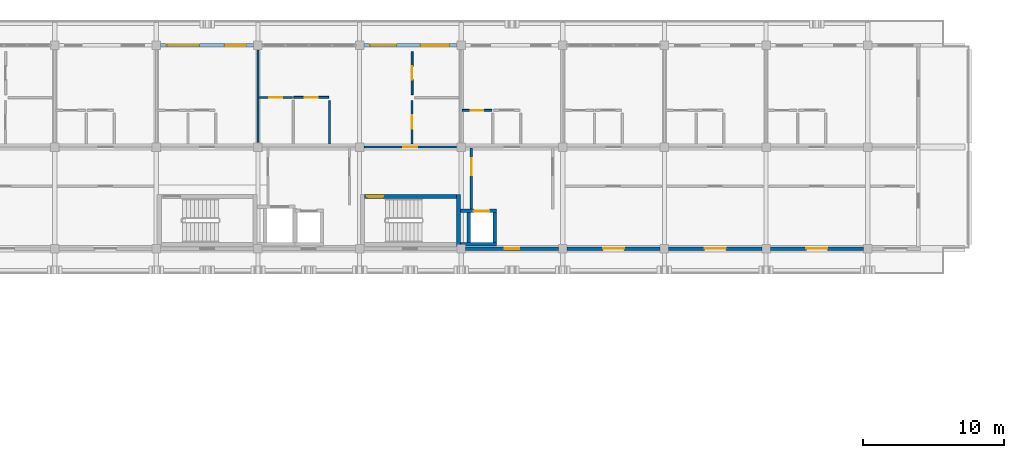
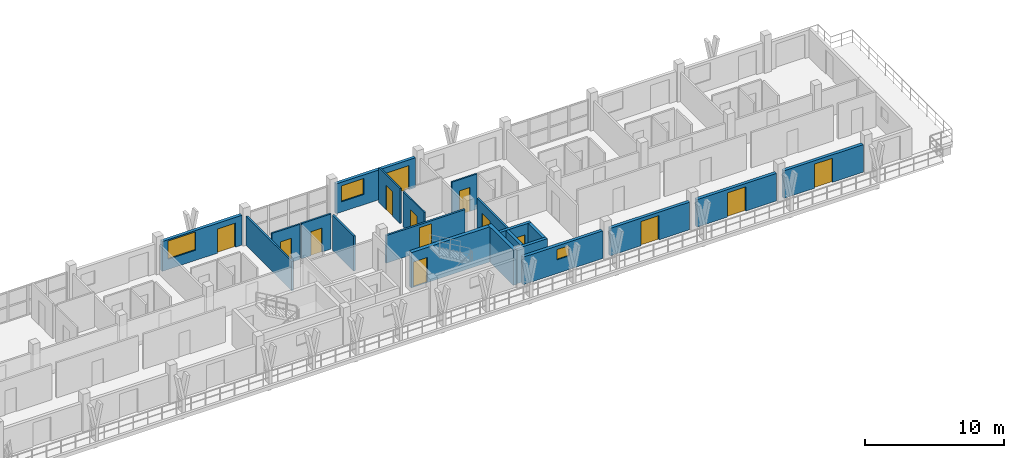
# One storey, part 37 of 60: 21 walls, 14 doors, 3 windows, 17 openings.
"""IFC4 building model written with IfcOpenShell, lengths in metres."""

import ifcopenshell
import ifcopenshell.guid

model = None  # the IFC model being written
_history = None  # IfcOwnerHistory: only IFC2X3 demands one
_inside = {}  # id of a spatial element -> (the spatial element, [elements in it])
_under = {}  # id of a project, library or spatial element -> (it, [spatial elements below it])
_declared = {}  # id of a project -> (the project, [libraries it declares])
_typed = {}  # id of a type object -> (the type object, [elements of that type])
_made_of = {}  # id of a material, layer set ... -> (it, [elements and type objects made of it])


def new_model(schema):
    """Start an empty IFC model of exactly this schema.

    Asked for "IFC4X3", IfcOpenShell would pick the latest addendum, in which some entities
    have other attributes; the version numbers below select the first issue.
    IFC2X3 requires an IfcOwnerHistory on every rooted entity: one is made here for all.
    """
    global model, _history
    if schema == "IFC4X3":
        model = ifcopenshell.file(schema_version=(4, 3, 0, 0))
    else:
        model = ifcopenshell.file(schema=schema)
    _inside.clear()
    _under.clear()
    _declared.clear()
    _typed.clear()
    _made_of.clear()
    _history = None
    if model.schema == "IFC2X3":
        org = make("IfcOrganization", Name="unknown")
        user = make(
            "IfcPersonAndOrganization",
            ThePerson=make("IfcPerson", FamilyName="unknown"),
            TheOrganization=org,
        )
        app = make(
            "IfcApplication",
            ApplicationDeveloper=org,
            Version="unknown",
            ApplicationFullName="unknown",
            ApplicationIdentifier="unknown",
        )
        _history = make(
            "IfcOwnerHistory",
            OwningUser=user,
            OwningApplication=app,
            ChangeAction="ADDED",
            CreationDate=0,
        )
    return model


def make(cls, **values):
    """One entity of the class cls with the attributes given. An attribute that is None is left unset."""
    return model.create_entity(
        cls, **{name: value for name, value in values.items() if value is not None}
    )


def rooted(cls, **values):
    """An entity with a GlobalId (a new one), such as an element, a storey or a relation."""
    return make(cls, GlobalId=ifcopenshell.guid.new(), OwnerHistory=_history, **values)


def si_unit(unit_type, name, prefix=None):
    """IfcSIUnit, for example si_unit("LENGTHUNIT", "METRE", prefix="MILLI")."""
    return make("IfcSIUnit", UnitType=unit_type, Prefix=prefix, Name=name)


def assignment(units):
    """IfcUnitAssignment: the units of a project."""
    return None if units is None else make("IfcUnitAssignment", Units=units)


def point(xyz):
    """IfcCartesianPoint."""
    return None if xyz is None else make("IfcCartesianPoint", Coordinates=xyz)


def direction(xyz):
    """IfcDirection."""
    return None if xyz is None else make("IfcDirection", DirectionRatios=xyz)


def frame(location, z_axis=None, x_axis=None):
    """IfcAxis2Placement3D, a coordinate frame: its origin and axes. An axis left out is left unset."""
    return make(
        "IfcAxis2Placement3D",
        Location=point(location),
        Axis=direction(z_axis),
        RefDirection=direction(x_axis),
    )


def frame_2d(location, x_axis=None):
    """IfcAxis2Placement2D, a coordinate frame in the plane: its origin and x axis."""
    return make(
        "IfcAxis2Placement2D", Location=point(location), RefDirection=direction(x_axis)
    )


def origin():
    """The frame at (0, 0, 0) with its axes left unset."""
    return frame((0.0, 0.0, 0.0))


def place(relative_to, where):
    """IfcLocalPlacement: puts the frame where relative to a parent placement (None: the world)."""
    return make(
        "IfcLocalPlacement", PlacementRelTo=relative_to, RelativePlacement=where
    )


def context(
    kind, dimensions, precision=None, world=None, true_north=None, identifier=None
):
    """IfcGeometricRepresentationContext, for example the 3D "Model" context."""
    return make(
        "IfcGeometricRepresentationContext",
        ContextIdentifier=identifier,
        ContextType=kind,
        CoordinateSpaceDimension=dimensions,
        Precision=precision,
        WorldCoordinateSystem=world,
        TrueNorth=true_north,
    )


def subcontext(parent, identifier, kind, view, scale=None):
    """IfcGeometricRepresentationSubContext, for example "Body" below "Model"."""
    return make(
        "IfcGeometricRepresentationSubContext",
        ContextIdentifier=identifier,
        ContextType=kind,
        ParentContext=parent,
        TargetScale=scale,
        TargetView=view,
    )


def project(units=None, contexts=None):
    """IfcProject with its units and contexts."""
    return rooted(
        "IfcProject",
        Name="project",
        RepresentationContexts=contexts,
        UnitsInContext=assignment(units),
    )


def spatial(cls, under=None, at=None, **own):
    """A site, building, storey or space (cls), placed at a placement, below another one or the project."""
    s = rooted(cls, ObjectPlacement=at, **own)
    if under is not None:
        _under.setdefault(under.id(), (under, []))[1].append(s)
    return s


def profile(cls, at=None, kind="AREA", **sizes):
    """A parametric profile (cls). Its sizes go by their IFC names, for example OverallWidth=200.0."""
    return make(cls, ProfileType=kind, Position=at, **sizes)


def rectangle(**sizes):
    """IfcRectangleProfileDef."""
    return profile("IfcRectangleProfileDef", **sizes)


def extrude(swept, where, along, depth):
    """IfcExtrudedAreaSolid: the profile swept, set in the frame where, extruded along a direction by depth."""
    return make(
        "IfcExtrudedAreaSolid",
        SweptArea=swept,
        Position=where,
        ExtrudedDirection=direction(along),
        Depth=depth,
    )


def shape(context_of_items, identifier, shape_type, items):
    """IfcShapeRepresentation: the items that make up one representation, for example the "Body"."""
    return make(
        "IfcShapeRepresentation",
        ContextOfItems=context_of_items,
        RepresentationIdentifier=identifier,
        RepresentationType=shape_type,
        Items=items,
    )


def material(Name=None, Category=None):
    """IfcMaterial."""
    return make("IfcMaterial", Name=Name, Category=Category)


def layer(
    of_material, thickness, ventilated=None, Name=None, Category=None, Priority=None
):
    """IfcMaterialLayer: one layer of a wall or slab, of a material (None: an air gap)."""
    return make(
        "IfcMaterialLayer",
        Material=of_material,
        LayerThickness=thickness,
        IsVentilated=ventilated,
        Name=Name,
        Category=Category,
        Priority=Priority,
    )


def layer_set(layers, Name=None):
    """IfcMaterialLayerSet."""
    return make("IfcMaterialLayerSet", MaterialLayers=layers, LayerSetName=Name)


def made_of(thing, what):
    """Note that an element or type object is made of a material, layer set ...; save() writes the relation."""
    if what is not None:
        _made_of.setdefault(what.id(), (what, []))[1].append(thing)
    return thing


def type_object(cls, material=None, **own):
    """A type object (cls), such as IfcWallType, which elements share."""
    return made_of(rooted(cls, **own), material)


def element(
    cls,
    number,
    at=None,
    inside=None,
    cuts=None,
    type_object=None,
    material=None,
    context=None,
    identifier="Body",
    shape_type=None,
    held_by="IfcProductDefinitionShape",
    body=None,
    shapes=None,
    **own,
):
    """One element of the class cls, such as IfcWall. Its Tag is "e" and its number.

    at: its placement. inside: the storey or other place that contains it. cuts: it is an
    opening in that element (IfcRelVoidsElement). A single representation is given by context,
    identifier, shape_type and body (its items); several are given by shapes. held_by: the class
    of the entity that holds the representations. save() writes the other relations.
    """
    e = rooted(cls, Tag="e%d" % number, ObjectPlacement=at, **own)
    if body is not None:
        shapes = [shape(context, identifier, shape_type, body)]
    if shapes is not None:
        e.Representation = make(held_by, Representations=shapes)
    if inside is not None:
        _inside.setdefault(inside.id(), (inside, []))[1].append(e)
    if cuts is not None:
        rooted(
            "IfcRelVoidsElement", RelatingBuildingElement=cuts, RelatedOpeningElement=e
        )
    if type_object is not None:
        _typed.setdefault(type_object.id(), (type_object, []))[1].append(e)
    return made_of(e, material)


def fill(opening, filler):
    """IfcRelFillsElement: the door or window that sits in an opening."""
    return rooted(
        "IfcRelFillsElement",
        RelatingOpeningElement=opening,
        RelatedBuildingElement=filler,
    )


def aggregate(whole, parts):
    """IfcRelAggregates: a whole, such as a stair, and the parts it consists of."""
    return rooted("IfcRelAggregates", RelatingObject=whole, RelatedObjects=parts)


def save(model, path):
    """Write the relations noted so far, then the file.

    IfcRelAggregates (storeys below a building ...), IfcRelContainedInSpatialStructure (elements
    in a storey), IfcRelDefinesByType, IfcRelAssociatesMaterial and IfcRelDeclares: one each for
    every whole, place, type object, material and project.
    """
    for whole, parts in _under.values():
        aggregate(whole, parts)
    for where, things in _inside.values():
        rooted(
            "IfcRelContainedInSpatialStructure",
            RelatedElements=things,
            RelatingStructure=where,
        )
    for kind, things in _typed.values():
        rooted("IfcRelDefinesByType", RelatedObjects=things, RelatingType=kind)
    for what, things in _made_of.values():
        rooted("IfcRelAssociatesMaterial", RelatedObjects=things, RelatingMaterial=what)
    for by, libraries in _declared.values():
        rooted("IfcRelDeclares", RelatingContext=by, RelatedDefinitions=libraries)
    model.write(path)


model = new_model("IFC4")

# Units and contexts
model_context = context("Model", 3, precision=1e-05, world=origin(), true_north=direction((0.0, 1.0)))
body_context = subcontext(model_context, "Body", "Model", "MODEL_VIEW")
ifc_project = project(units=[si_unit("LENGTHUNIT", "METRE"), si_unit("AREAUNIT", "SQUARE_METRE"), si_unit("VOLUMEUNIT", "CUBIC_METRE"), si_unit("PLANEANGLEUNIT", "RADIAN"), si_unit("MASSUNIT", "GRAM", prefix="KILO")], contexts=[model_context])

# Site, building, storey
site_placement = place(None, origin())
site = spatial("IfcSite", under=ifc_project, at=site_placement, CompositionType="ELEMENT")
building_placement = place(site_placement, origin())
building = spatial("IfcBuilding", under=site, at=building_placement, Name="Suanplinth Sawtooth Commons", CompositionType="ELEMENT")
storey_placement = place(building_placement, frame((0.0, 0.0, 31.5)))
storey = spatial("IfcBuildingStorey", under=building, at=storey_placement, Name="L09", CompositionType="ELEMENT", Elevation=31.5)

# Wall, opening, door
ifc_material_1 = material(Name="Concrete C40/50", Category="concrete")
ifc_layer_1 = layer(ifc_material_1, 0.300048828125, Name="Standard RC stair and lift core wall 300mm")
ifc_layer_set_1 = layer_set([ifc_layer_1], Name="Concrete C40/50")
wall_type_1 = type_object("IfcWallType", Name="W-CR02", PredefinedType="SHEAR", material=ifc_layer_set_1)
wall_1_placement = place(storey_placement, frame((57.949951171875, 111.699951171875, 0.0), z_axis=(0.0, 0.0, 1.0), x_axis=(1.0, 0.0, 0.0)))
wall_1 = element("IfcWall", 1, at=wall_1_placement, inside=storey, type_object=wall_type_1, Name="W-L09-C-A2-STN", PredefinedType="SHEAR", context=body_context, shape_type="SweptSolid", body=[
    extrude(rectangle(XDim=6.5, YDim=0.300048828125, at=frame_2d((3.25, 0.0))), origin(), (0.0, 0.0, 1.0), 3.080078125),
])
opening_1_placement = place(wall_1_placement, frame((0.179931640625, 0.0, 0.0)))
opening_1 = element("IfcOpeningElement", 2, at=opening_1_placement, cuts=wall_1, Name="Opening FD0126", PredefinedType="OPENING", context=body_context, shape_type="SweptSolid", body=[
    extrude(rectangle(XDim=1.14990234375, YDim=2.199951171875, at=frame_2d((0.574951171875, 1.10009765625))), frame((0.0, 0.1650390625, 0.0), z_axis=(0.0, -1.0, 0.0), x_axis=(1.0, 0.0, 0.0)), (0.0, 0.0, 1.0), 0.329833984375),
])
ifc_material_2 = material(Name="Teak hardwood fire-rated door assembly", Category="wood")
door_type_1 = type_object("IfcDoorType", Name="FD-01", OperationType="NOTDEFINED", PredefinedType="DOOR", material=ifc_material_2)
door_1_placement = place(opening_1_placement, frame((1.14990234375, 0.0, 0.0), z_axis=(0.0, 0.0, 1.0), x_axis=(-1.0, 0.0, 0.0)))
door_1 = element("IfcDoor", 3, at=door_1_placement, inside=storey, type_object=door_type_1, Name="Exit Stair Fire Door FD0126", OperationType="SINGLE_SWING_LEFT", OverallHeight=2.199951171875, OverallWidth=1.14990234375, PredefinedType="DOOR", context=body_context, shape_type="SweptSolid", body=[
    extrude(rectangle(XDim=1.14990234375, YDim=2.199951171875, at=frame_2d((0.574951171875, 1.10009765625))), frame((0.0, 0.02490234375, 0.0), z_axis=(0.0, -1.0, 0.0), x_axis=(1.0, 0.0, 0.0)), (0.0, 0.0, 1.0), 0.050048828125),
])
fill(opening_1, door_1)

# Wall
wall_2_placement = place(storey_placement, frame((64.60009765625, 108.14990234375, 0.0), z_axis=(0.0, 0.0, 1.0), x_axis=(0.0, 1.0, 0.0)))
element("IfcWall", 4, at=wall_2_placement, inside=storey, type_object=wall_type_1, Name="W-L09-C-A2-STE", PredefinedType="SHEAR", context=body_context, shape_type="SweptSolid", body=[
    extrude(rectangle(XDim=3.7001953125, YDim=0.300048828125, at=frame_2d((1.85009765625, 0.0))), origin(), (0.0, 0.0, 1.0), 3.080078125),
])

# Wall, openings, door, window
ifc_material_3 = material(Name="Precast concrete C40/50", Category="concrete")
ifc_layer_2 = layer(ifc_material_3, 0.260009765625, Name="Insulated precast courtyard facade wall 260mm")
ifc_layer_set_2 = layer_set([ifc_layer_2], Name="Precast concrete C40/50")
wall_type_2 = type_object("IfcWallType", Name="W-EX02", PredefinedType="ELEMENTEDWALL", material=ifc_layer_set_2)
wall_3_placement = place(storey_placement, frame((43.5, 122.39990234375, 0.0), z_axis=(0.0, 0.0, 1.0), x_axis=(1.0, 0.0, 0.0)))
wall_3 = element("IfcWall", 5, at=wall_3_placement, inside=storey, type_object=wall_type_2, Name="Facade Wall W-L09-A-N-4", PredefinedType="ELEMENTEDWALL", context=body_context, shape_type="SweptSolid", body=[
    extrude(rectangle(XDim=6.60009765625, YDim=0.260009765625, at=frame_2d((3.300048828125, 0.0))), origin(), (0.0, 0.0, 1.0), 2.614990234375),
])
opening_2_placement = place(wall_3_placement, frame((4.550048828125, 0.0, 0.0)))
opening_2 = element("IfcOpeningElement", 6, at=opening_2_placement, cuts=wall_3, Name="Opening ED0695", PredefinedType="OPENING", context=body_context, shape_type="SweptSolid", body=[
    extrude(rectangle(XDim=1.5, YDim=2.1201171875, at=frame_2d((0.75, 1.06005859375))), frame((0.0, 0.14501953125, 0.0), z_axis=(0.0, -1.0, 0.0), x_axis=(1.0, 0.0, 0.0)), (0.0, 0.0, 1.0), 0.289794921875),
])
opening_3_placement = place(wall_3_placement, frame((0.449951171875, 0.0, 0.89990234375)))
opening_3 = element("IfcOpeningElement", 7, at=opening_3_placement, cuts=wall_3, Name="Opening W0774", PredefinedType="OPENING", context=body_context, shape_type="SweptSolid", body=[
    extrude(rectangle(XDim=2.300048828125, YDim=1.60009765625, at=frame_2d((1.14990234375, 0.800048828125))), frame((0.0, 0.14501953125, 0.0), z_axis=(0.0, -1.0, 0.0), x_axis=(1.0, 0.0, 0.0)), (0.0, 0.0, 1.0), 0.289794921875),
])
ifc_material_4 = material(Name="Anodized aluminium and low-E glass", Category="aluminium")
door_type_2 = type_object("IfcDoorType", Name="SD-03", OperationType="SLIDING_TO_LEFT", PredefinedType="DOOR", material=ifc_material_4)
door_2_placement = place(opening_2_placement, frame((1.5, 0.0, 0.0), z_axis=(0.0, 0.0, 1.0), x_axis=(-1.0, 0.0, 0.0)))
door_2 = element("IfcDoor", 8, at=door_2_placement, inside=storey, type_object=door_type_2, Name="Balcony Sliding Door L09-A-N-4", OperationType="SLIDING_TO_LEFT", OverallHeight=2.1201171875, OverallWidth=1.5, PredefinedType="DOOR", context=body_context, shape_type="SweptSolid", body=[
    extrude(rectangle(XDim=1.5, YDim=2.1201171875, at=frame_2d((0.75, 1.06005859375))), frame((0.0, 0.02490234375, 0.0), z_axis=(0.0, -1.0, 0.0), x_axis=(1.0, 0.0, 0.0)), (0.0, 0.0, 1.0), 0.050048828125),
])
fill(opening_2, door_2)
ifc_material_5 = material(Name="Thermally broken aluminium and low-E double glazing", Category="aluminium")
window_type_1 = type_object("IfcWindowType", Name="WN-21", PartitioningType="TRIPLE_PANEL_VERTICAL", PredefinedType="WINDOW", material=ifc_material_5)
window_1_placement = place(opening_3_placement, origin())
window_1 = element("IfcWindow", 9, at=window_1_placement, inside=storey, type_object=window_type_1, Name="Window L09-A-N-4", OverallHeight=1.60009765625, OverallWidth=2.300048828125, PartitioningType="TRIPLE_PANEL_VERTICAL", PredefinedType="WINDOW", context=body_context, shape_type="SweptSolid", body=[
    extrude(rectangle(XDim=2.300048828125, YDim=1.60009765625, at=frame_2d((1.14990234375, 0.800048828125))), frame((0.0, 0.030029296875, 0.0), z_axis=(0.0, -1.0, 0.0), x_axis=(1.0, 0.0, 0.0)), (0.0, 0.0, 1.0), 0.06005859375),
])
fill(opening_3, window_1)

wall_4_placement = place(storey_placement, frame((57.89990234375, 122.39990234375, 0.0), z_axis=(0.0, 0.0, 1.0), x_axis=(1.0, 0.0, 0.0)))
wall_4 = element("IfcWall", 10, at=wall_4_placement, inside=storey, type_object=wall_type_2, Name="Facade Wall W-L09-A-N-6", PredefinedType="ELEMENTEDWALL", context=body_context, shape_type="SweptSolid", body=[
    extrude(rectangle(XDim=6.60009765625, YDim=0.260009765625, at=frame_2d((3.300048828125, 0.0))), origin(), (0.0, 0.0, 1.0), 2.614990234375),
])
opening_4_placement = place(wall_4_placement, frame((4.050048828125, 0.0, 0.0)))
opening_4 = element("IfcOpeningElement", 11, at=opening_4_placement, cuts=wall_4, Name="Opening ED0696", PredefinedType="OPENING", context=body_context, shape_type="SweptSolid", body=[
    extrude(rectangle(XDim=2.0, YDim=2.1201171875, at=frame_2d((1.0, 1.06005859375))), frame((0.0, 0.14501953125, 0.0), z_axis=(0.0, -1.0, 0.0), x_axis=(1.0, 0.0, 0.0)), (0.0, 0.0, 1.0), 0.289794921875),
])
opening_5_placement = place(wall_4_placement, frame((0.449951171875, 0.0, 0.89990234375)))
opening_5 = element("IfcOpeningElement", 12, at=opening_5_placement, cuts=wall_4, Name="Opening W0777", PredefinedType="OPENING", context=body_context, shape_type="SweptSolid", body=[
    extrude(rectangle(XDim=1.85009765625, YDim=1.39990234375, at=frame_2d((0.925048828125, 0.699951171875))), frame((0.0, 0.14501953125, 0.0), z_axis=(0.0, -1.0, 0.0), x_axis=(1.0, 0.0, 0.0)), (0.0, 0.0, 1.0), 0.289794921875),
])
door_type_3 = type_object("IfcDoorType", Name="SD-06", OperationType="DOUBLE_DOOR_SLIDING", PredefinedType="DOOR", material=ifc_material_4)
door_3_placement = place(opening_4_placement, frame((2.0, 0.0, 0.0), z_axis=(0.0, 0.0, 1.0), x_axis=(-1.0, 0.0, 0.0)))
door_3 = element("IfcDoor", 13, at=door_3_placement, inside=storey, type_object=door_type_3, Name="Balcony Sliding Door L09-A-N-6", OperationType="DOUBLE_DOOR_SLIDING", OverallHeight=2.1201171875, OverallWidth=2.0, PredefinedType="DOOR", context=body_context, shape_type="SweptSolid", body=[
    extrude(rectangle(XDim=2.0, YDim=2.1201171875, at=frame_2d((1.0, 1.06005859375))), frame((0.0, 0.02490234375, 0.0), z_axis=(0.0, -1.0, 0.0), x_axis=(1.0, 0.0, 0.0)), (0.0, 0.0, 1.0), 0.050048828125),
])
fill(opening_4, door_3)
window_type_2 = type_object("IfcWindowType", Name="WN-23", PartitioningType="DOUBLE_PANEL_VERTICAL", PredefinedType="WINDOW", material=ifc_material_5)
window_2_placement = place(opening_5_placement, origin())
window_2 = element("IfcWindow", 14, at=window_2_placement, inside=storey, type_object=window_type_2, Name="Window L09-A-N-6", OverallHeight=1.39990234375, OverallWidth=1.85009765625, PartitioningType="DOUBLE_PANEL_VERTICAL", PredefinedType="WINDOW", context=body_context, shape_type="SweptSolid", body=[
    extrude(rectangle(XDim=1.85009765625, YDim=1.39990234375, at=frame_2d((0.925048828125, 0.699951171875))), frame((0.0, 0.030029296875, 0.0), z_axis=(0.0, -1.0, 0.0), x_axis=(1.0, 0.0, 0.0)), (0.0, 0.0, 1.0), 0.06005859375),
])
fill(opening_5, window_2)

# Wall, opening, window
wall_5_placement = place(storey_placement, frame((65.10009765625, 108.0, 0.0), z_axis=(0.0, 0.0, 1.0), x_axis=(1.0, 0.0, 0.0)))
wall_5 = element("IfcWall", 15, at=wall_5_placement, inside=storey, type_object=wall_type_2, Name="Courtyard Wall W-L09-A-S-7", PredefinedType="ELEMENTEDWALL", context=body_context, shape_type="SweptSolid", body=[
    extrude(rectangle(XDim=6.599853515625, YDim=0.260009765625, at=frame_2d((3.2998046875, 0.0))), origin(), (0.0, 0.0, 1.0), 2.4150390625),
])
opening_6_placement = place(wall_5_placement, frame((2.800048828125, 0.0, 1.199951171875)))
opening_6 = element("IfcOpeningElement", 16, at=opening_6_placement, cuts=wall_5, Name="Opening W0780", PredefinedType="OPENING", context=body_context, shape_type="SweptSolid", body=[
    extrude(rectangle(XDim=1.0, YDim=0.89990234375, at=frame_2d((0.5, 0.449951171875))), frame((0.0, 0.14501953125, 0.0), z_axis=(0.0, -1.0, 0.0), x_axis=(1.0, 0.0, 0.0)), (0.0, 0.0, 1.0), 0.289794921875),
])
window_type_3 = type_object("IfcWindowType", Name="WN-12", PartitioningType="SINGLE_PANEL", PredefinedType="WINDOW", material=ifc_material_5)
window_3_placement = place(opening_6_placement, origin())
window_3 = element("IfcWindow", 17, at=window_3_placement, inside=storey, type_object=window_type_3, Name="Core Daylight Window L09-A-7", OverallHeight=0.89990234375, OverallWidth=1.0, PartitioningType="SINGLE_PANEL", PredefinedType="WINDOW", context=body_context, shape_type="SweptSolid", body=[
    extrude(rectangle(XDim=1.0, YDim=0.89990234375, at=frame_2d((0.5, 0.449951171875))), frame((0.0, 0.030029296875, 0.0), z_axis=(0.0, -1.0, 0.0), x_axis=(1.0, 0.0, 0.0)), (0.0, 0.0, 1.0), 0.06005859375),
])
fill(opening_6, window_3)

# Wall, opening, door
wall_6_placement = place(storey_placement, frame((72.300048828125, 108.0, 0.0), z_axis=(0.0, 0.0, 1.0), x_axis=(1.0, 0.0, 0.0)))
wall_6 = element("IfcWall", 18, at=wall_6_placement, inside=storey, type_object=wall_type_2, Name="Courtyard Wall W-L09-A-S-8", PredefinedType="ELEMENTEDWALL", context=body_context, shape_type="SweptSolid", body=[
    extrude(rectangle(XDim=6.599853515625, YDim=0.260009765625, at=frame_2d((3.2998046875, 0.0))), origin(), (0.0, 0.0, 1.0), 2.4150390625),
])
opening_7_placement = place(wall_6_placement, frame((2.550048828125, 0.0, 0.0)))
opening_7 = element("IfcOpeningElement", 19, at=opening_7_placement, cuts=wall_6, Name="Opening ED0698", PredefinedType="OPENING", context=body_context, shape_type="SweptSolid", body=[
    extrude(rectangle(XDim=1.5, YDim=2.1201171875, at=frame_2d((0.75, 1.06005859375))), frame((0.0, 0.14501953125, 0.0), z_axis=(0.0, -1.0, 0.0), x_axis=(1.0, 0.0, 0.0)), (0.0, 0.0, 1.0), 0.289794921875),
])
door_4_placement = place(opening_7_placement, frame((1.5, 0.0, 0.0), z_axis=(0.0, 0.0, 1.0), x_axis=(-1.0, 0.0, 0.0)))
door_4 = element("IfcDoor", 20, at=door_4_placement, inside=storey, type_object=door_type_2, Name="Courtyard Balcony Sliding Door L09-A-S-8", OperationType="SLIDING_TO_LEFT", OverallHeight=2.1201171875, OverallWidth=1.5, PredefinedType="DOOR", context=body_context, shape_type="SweptSolid", body=[
    extrude(rectangle(XDim=1.5, YDim=2.1201171875, at=frame_2d((0.75, 1.06005859375))), frame((0.0, 0.02490234375, 0.0), z_axis=(0.0, -1.0, 0.0), x_axis=(1.0, 0.0, 0.0)), (0.0, 0.0, 1.0), 0.050048828125),
])
fill(opening_7, door_4)

wall_7_placement = place(storey_placement, frame((79.5, 108.0, 0.0), z_axis=(0.0, 0.0, 1.0), x_axis=(1.0, 0.0, 0.0)))
wall_7 = element("IfcWall", 21, at=wall_7_placement, inside=storey, type_object=wall_type_2, Name="Courtyard Wall W-L09-A-S-9", PredefinedType="ELEMENTEDWALL", context=body_context, shape_type="SweptSolid", body=[
    extrude(rectangle(XDim=6.60009765625, YDim=0.260009765625, at=frame_2d((3.300048828125, 0.0))), origin(), (0.0, 0.0, 1.0), 2.4150390625),
])
opening_8_placement = place(wall_7_placement, frame((2.550048828125, 0.0, 0.0)))
opening_8 = element("IfcOpeningElement", 22, at=opening_8_placement, cuts=wall_7, Name="Opening ED0700", PredefinedType="OPENING", context=body_context, shape_type="SweptSolid", body=[
    extrude(rectangle(XDim=1.5, YDim=2.1201171875, at=frame_2d((0.75, 1.06005859375))), frame((0.0, 0.14501953125, 0.0), z_axis=(0.0, -1.0, 0.0), x_axis=(1.0, 0.0, 0.0)), (0.0, 0.0, 1.0), 0.289794921875),
])
door_5_placement = place(opening_8_placement, frame((1.5, 0.0, 0.0), z_axis=(0.0, 0.0, 1.0), x_axis=(-1.0, 0.0, 0.0)))
door_5 = element("IfcDoor", 23, at=door_5_placement, inside=storey, type_object=door_type_2, Name="Courtyard Balcony Sliding Door L09-A-S-9", OperationType="SLIDING_TO_LEFT", OverallHeight=2.1201171875, OverallWidth=1.5, PredefinedType="DOOR", context=body_context, shape_type="SweptSolid", body=[
    extrude(rectangle(XDim=1.5, YDim=2.1201171875, at=frame_2d((0.75, 1.06005859375))), frame((0.0, 0.02490234375, 0.0), z_axis=(0.0, -1.0, 0.0), x_axis=(1.0, 0.0, 0.0)), (0.0, 0.0, 1.0), 0.050048828125),
])
fill(opening_8, door_5)

wall_8_placement = place(storey_placement, frame((86.699951171875, 108.0, 0.0), z_axis=(0.0, 0.0, 1.0), x_axis=(1.0, 0.0, 0.0)))
wall_8 = element("IfcWall", 24, at=wall_8_placement, inside=storey, type_object=wall_type_2, Name="Courtyard Wall W-L09-A-S-10", PredefinedType="ELEMENTEDWALL", context=body_context, shape_type="SweptSolid", body=[
    extrude(rectangle(XDim=6.60009765625, YDim=0.260009765625, at=frame_2d((3.300048828125, 0.0))), origin(), (0.0, 0.0, 1.0), 2.4150390625),
])
opening_9_placement = place(wall_8_placement, frame((2.550048828125, 0.0, 0.0)))
opening_9 = element("IfcOpeningElement", 25, at=opening_9_placement, cuts=wall_8, Name="Opening ED0702", PredefinedType="OPENING", context=body_context, shape_type="SweptSolid", body=[
    extrude(rectangle(XDim=1.5, YDim=2.1201171875, at=frame_2d((0.75, 1.06005859375))), frame((0.0, 0.14501953125, 0.0), z_axis=(0.0, -1.0, 0.0), x_axis=(1.0, 0.0, 0.0)), (0.0, 0.0, 1.0), 0.289794921875),
])
door_6_placement = place(opening_9_placement, frame((1.5, 0.0, 0.0), z_axis=(0.0, 0.0, 1.0), x_axis=(-1.0, 0.0, 0.0)))
door_6 = element("IfcDoor", 26, at=door_6_placement, inside=storey, type_object=door_type_2, Name="Courtyard Balcony Sliding Door L09-A-S-10", OperationType="SLIDING_TO_LEFT", OverallHeight=2.1201171875, OverallWidth=1.5, PredefinedType="DOOR", context=body_context, shape_type="SweptSolid", body=[
    extrude(rectangle(XDim=1.5, YDim=2.1201171875, at=frame_2d((0.75, 1.06005859375))), frame((0.0, 0.02490234375, 0.0), z_axis=(0.0, -1.0, 0.0), x_axis=(1.0, 0.0, 0.0)), (0.0, 0.0, 1.0), 0.050048828125),
])
fill(opening_9, door_6)

ifc_layer_3 = layer(ifc_material_3, 0.159912109375, Name="Fire-rated corridor and lobby wall 160mm")
ifc_layer_set_3 = layer_set([ifc_layer_3], Name="Precast concrete C40/50")
wall_type_3 = type_object("IfcWallType", Name="W-FW01", PredefinedType="PARTITIONING", material=ifc_layer_set_3)
wall_9_placement = place(storey_placement, frame((65.52001953125, 110.800048828125, 0.0), z_axis=(0.0, 0.0, 1.0), x_axis=(0.0, 1.0, 0.0)))
wall_9 = element("IfcWall", 27, at=wall_9_placement, inside=storey, type_object=wall_type_3, Name="W-L09-C-A2-LOB-W", PredefinedType="PARTITIONING", context=body_context, shape_type="SweptSolid", body=[
    extrude(rectangle(XDim=4.320068359375, YDim=0.159912109375, at=frame_2d((2.16015625, 0.0))), origin(), (0.0, 0.0, 1.0), 3.080078125),
])
opening_10_placement = place(wall_9_placement, frame((2.39990234375, 0.0, 0.0)))
opening_10 = element("IfcOpeningElement", 28, at=opening_10_placement, cuts=wall_9, Name="Opening FD0127", PredefinedType="OPENING", context=body_context, shape_type="SweptSolid", body=[
    extrude(rectangle(XDim=1.199951171875, YDim=2.199951171875, at=frame_2d((0.60009765625, 1.10009765625))), frame((0.0, 0.0947265625, 0.0), z_axis=(0.0, -1.0, 0.0), x_axis=(1.0, 0.0, 0.0)), (0.0, 0.0, 1.0), 0.189697265625),
])
door_type_4 = type_object("IfcDoorType", Name="FD-02", OperationType="NOTDEFINED", PredefinedType="DOOR", material=ifc_material_2)
door_7_placement = place(opening_10_placement, origin())
door_7 = element("IfcDoor", 29, at=door_7_placement, inside=storey, type_object=door_type_4, Name="Lobby Fire Door FD0127", OperationType="SINGLE_SWING_RIGHT", OverallHeight=2.199951171875, OverallWidth=1.199951171875, PredefinedType="DOOR", context=body_context, shape_type="SweptSolid", body=[
    extrude(rectangle(XDim=1.199951171875, YDim=2.199951171875, at=frame_2d((0.60009765625, 1.10009765625))), frame((0.0, 0.02490234375, 0.0), z_axis=(0.0, -1.0, 0.0), x_axis=(1.0, 0.0, 0.0)), (0.0, 0.0, 1.0), 0.050048828125),
])
fill(opening_10, door_7)

wall_10_placement = place(storey_placement, frame((57.929931640625, 115.199951171875, 0.0), z_axis=(0.0, 0.0, 1.0), x_axis=(1.0, 0.0, 0.0)))
wall_10 = element("IfcWall", 30, at=wall_10_placement, inside=storey, type_object=wall_type_3, Name="W-A-L09-U04-COR-S2", PredefinedType="PARTITIONING", context=body_context, shape_type="SweptSolid", body=[
    extrude(rectangle(XDim=6.5400390625, YDim=0.159912109375, at=frame_2d((3.27001953125, 0.0))), origin(), (0.0, 0.0, 1.0), 2.4150390625),
])
opening_11_placement = place(wall_10_placement, frame((2.77001953125, 0.0, 0.0)))
opening_11 = element("IfcOpeningElement", 31, at=opening_11_placement, cuts=wall_10, Name="Opening FD1768", PredefinedType="OPENING", context=body_context, shape_type="SweptSolid", body=[
    extrude(rectangle(XDim=1.0, YDim=2.14990234375, at=frame_2d((0.5, 1.074951171875))), frame((0.0, 0.0947265625, 0.0), z_axis=(0.0, -1.0, 0.0), x_axis=(1.0, 0.0, 0.0)), (0.0, 0.0, 1.0), 0.189697265625),
])
door_type_5 = type_object("IfcDoorType", Name="FD-03", OperationType="NOTDEFINED", PredefinedType="DOOR", material=ifc_material_2)
door_8_placement = place(opening_11_placement, origin())
door_8 = element("IfcDoor", 32, at=door_8_placement, inside=storey, type_object=door_type_5, Name="Unit Entrance Door FD1768", OperationType="SINGLE_SWING_RIGHT", OverallHeight=2.14990234375, OverallWidth=1.0, PredefinedType="DOOR", context=body_context, shape_type="SweptSolid", body=[
    extrude(rectangle(XDim=1.0, YDim=2.14990234375, at=frame_2d((0.5, 1.074951171875))), frame((0.0, 0.02490234375, 0.0), z_axis=(0.0, -1.0, 0.0), x_axis=(1.0, 0.0, 0.0)), (0.0, 0.0, 1.0), 0.050048828125),
])
fill(opening_11, door_8)

# Wall
ifc_layer_4 = layer(ifc_material_3, 0.14990234375, Name="Acoustic precast party demising wall 150mm")
ifc_layer_set_4 = layer_set([ifc_layer_4], Name="Precast concrete C40/50")
wall_type_4 = type_object("IfcWallType", Name="W-FW02", PredefinedType="PARTITIONING", material=ifc_layer_set_4)
wall_11_placement = place(storey_placement, frame((50.39990234375, 115.530029296875, 0.0), z_axis=(0.0, 0.0, 1.0), x_axis=(0.0, 1.0, 0.0)))
element("IfcWall", 33, at=wall_11_placement, inside=storey, type_object=wall_type_4, Name="W-A-L09-U03-PTY", PredefinedType="PARTITIONING", context=body_context, shape_type="SweptSolid", body=[
    extrude(rectangle(XDim=6.5400390625, YDim=0.14990234375, at=frame_2d((3.27001953125, 0.0))), origin(), (0.0, 0.0, 1.0), 2.56494140625),
])

# Wall, opening, door
ifc_material_6 = material(Name="Gypsum plasterboard on steel stud", Category="steel")
ifc_layer_5 = layer(ifc_material_6, 0.139892578125, Name="Fire-rated kitchen partition 140mm")
ifc_layer_set_5 = layer_set([ifc_layer_5], Name="Gypsum plasterboard on steel stud")
wall_type_5 = type_object("IfcWallType", Name="W-PT01", PredefinedType="PARTITIONING", material=ifc_layer_set_5)
wall_12_placement = place(storey_placement, frame((52.949951171875, 118.7099609375, 0.0), z_axis=(0.0, 0.0, 1.0), x_axis=(1.0, 0.0, 0.0)))
wall_12 = element("IfcWall", 34, at=wall_12_placement, inside=storey, type_object=wall_type_5, Name="W-A-L09-U04-KIT1", PredefinedType="PARTITIONING", context=body_context, shape_type="SweptSolid", body=[
    extrude(rectangle(XDim=2.449951171875, YDim=0.139892578125, at=frame_2d((1.22509765625, 0.0))), origin(), (0.0, 0.0, 1.0), 3.080078125),
])
opening_12_placement = place(wall_12_placement, frame((0.764892578125, 0.0, 0.0)))
opening_12 = element("IfcOpeningElement", 35, at=opening_12_placement, cuts=wall_12, Name="Opening D1770", PredefinedType="OPENING", context=body_context, shape_type="SweptSolid", body=[
    extrude(rectangle(XDim=0.919921875, YDim=2.10009765625, at=frame_2d((0.4599609375, 1.050048828125))), frame((0.0, 0.0849609375, 0.0), z_axis=(0.0, -1.0, 0.0), x_axis=(1.0, 0.0, 0.0)), (0.0, 0.0, 1.0), 0.169677734375),
])
ifc_material_7 = material(Name="Teak hardwood", Category="wood")
door_type_6 = type_object("IfcDoorType", Name="D-02", OperationType="NOTDEFINED", PredefinedType="DOOR", material=ifc_material_7)
door_9_placement = place(opening_12_placement, frame((0.919921875, 0.0, 0.0), z_axis=(0.0, 0.0, 1.0), x_axis=(-1.0, 0.0, 0.0)))
door_9 = element("IfcDoor", 36, at=door_9_placement, inside=storey, type_object=door_type_6, Name="Kitchen Door D1770", OperationType="SINGLE_SWING_RIGHT", OverallHeight=2.10009765625, OverallWidth=0.919921875, PredefinedType="DOOR", context=body_context, shape_type="SweptSolid", body=[
    extrude(rectangle(XDim=0.919921875, YDim=2.10009765625, at=frame_2d((0.4599609375, 1.050048828125))), frame((0.0, 0.02490234375, 0.0), z_axis=(0.0, -1.0, 0.0), x_axis=(1.0, 0.0, 0.0)), (0.0, 0.0, 1.0), 0.050048828125),
])
fill(opening_12, door_9)

# Wall
wall_13_placement = place(storey_placement, frame((55.469970703125, 115.429931640625, 0.0), z_axis=(0.0, 0.0, 1.0), x_axis=(0.0, 1.0, 0.0)))
element("IfcWall", 37, at=wall_13_placement, inside=storey, type_object=wall_type_5, Name="W-A-L09-U04-KIT2", PredefinedType="PARTITIONING", context=body_context, shape_type="SweptSolid", body=[
    extrude(rectangle(XDim=3.06005859375, YDim=0.139892578125, at=frame_2d((1.530029296875, 0.0))), origin(), (0.0, 0.0, 1.0), 3.080078125),
])

# Wall, opening, door
ifc_layer_6 = layer(ifc_material_6, 0.1298828125, Name="Moisture-resistant bathroom partition 130mm")
ifc_layer_set_6 = layer_set([ifc_layer_6], Name="Gypsum plasterboard on steel stud")
wall_type_6 = type_object("IfcWallType", Name="W-PT02", PredefinedType="PARTITIONING", material=ifc_layer_set_6)
wall_14_placement = place(storey_placement, frame((50.47998046875, 118.705078125, 0.0), z_axis=(0.0, 0.0, 1.0), x_axis=(1.0, 0.0, 0.0)))
wall_14 = element("IfcWall", 38, at=wall_14_placement, inside=storey, type_object=wall_type_6, Name="W-A-L09-U04-BTH1", PredefinedType="PARTITIONING", context=body_context, shape_type="SweptSolid", body=[
    extrude(rectangle(XDim=2.35009765625, YDim=0.1298828125, at=frame_2d((1.175048828125, 0.0))), origin(), (0.0, 0.0, 1.0), 3.080078125),
])
opening_13_placement = place(wall_14_placement, frame((0.72509765625, 0.0, 0.0)))
opening_13 = element("IfcOpeningElement", 39, at=opening_13_placement, cuts=wall_14, Name="Opening D1769", PredefinedType="OPENING", context=body_context, shape_type="SweptSolid", body=[
    extrude(rectangle(XDim=0.89990234375, YDim=2.10009765625, at=frame_2d((0.449951171875, 1.050048828125))), frame((0.0, 0.079833984375, 0.0), z_axis=(0.0, -1.0, 0.0), x_axis=(1.0, 0.0, 0.0)), (0.0, 0.0, 1.0), 0.15966796875),
])
door_type_7 = type_object("IfcDoorType", Name="D-01", OperationType="NOTDEFINED", PredefinedType="DOOR", material=ifc_material_7)
door_10_placement = place(opening_13_placement, frame((0.89990234375, 0.0, 0.0), z_axis=(0.0, 0.0, 1.0), x_axis=(-1.0, 0.0, 0.0)))
door_10 = element("IfcDoor", 40, at=door_10_placement, inside=storey, type_object=door_type_7, Name="Bathroom Door D1769", OperationType="SINGLE_SWING_LEFT", OverallHeight=2.10009765625, OverallWidth=0.89990234375, PredefinedType="DOOR", context=body_context, shape_type="SweptSolid", body=[
    extrude(rectangle(XDim=0.89990234375, YDim=2.10009765625, at=frame_2d((0.449951171875, 1.050048828125))), frame((0.0, 0.02490234375, 0.0), z_axis=(0.0, -1.0, 0.0), x_axis=(1.0, 0.0, 0.0)), (0.0, 0.0, 1.0), 0.050048828125),
])
fill(opening_13, door_10)

wall_15_placement = place(storey_placement, frame((64.8798828125, 117.794921875, 0.0), z_axis=(0.0, 0.0, 1.0), x_axis=(1.0, 0.0, 0.0)))
wall_15 = element("IfcWall", 41, at=wall_15_placement, inside=storey, type_object=wall_type_6, Name="W-A-L09-U05-BTH1", PredefinedType="PARTITIONING", context=body_context, shape_type="SweptSolid", body=[
    extrude(rectangle(XDim=2.10009765625, YDim=0.1298828125, at=frame_2d((1.050048828125, 0.0))), origin(), (0.0, 0.0, 1.0), 3.080078125),
])
opening_14_placement = place(wall_15_placement, frame((0.610107421875, 0.0, 0.0)))
opening_14 = element("IfcOpeningElement", 42, at=opening_14_placement, cuts=wall_15, Name="Opening D1774", PredefinedType="OPENING", context=body_context, shape_type="SweptSolid", body=[
    extrude(rectangle(XDim=0.8798828125, YDim=2.10009765625, at=frame_2d((0.43994140625, 1.050048828125))), frame((0.0, 0.079833984375, 0.0), z_axis=(0.0, -1.0, 0.0), x_axis=(1.0, 0.0, 0.0)), (0.0, 0.0, 1.0), 0.15966796875),
])
door_type_8 = type_object("IfcDoorType", Name="D-14", OperationType="NOTDEFINED", PredefinedType="DOOR", material=ifc_material_7)
door_11_placement = place(opening_14_placement, frame((0.8798828125, 0.0, 0.0), z_axis=(0.0, 0.0, 1.0), x_axis=(-1.0, 0.0, 0.0)))
door_11 = element("IfcDoor", 43, at=door_11_placement, inside=storey, type_object=door_type_8, Name="Bathroom Door D1774", OperationType="SINGLE_SWING_RIGHT", OverallHeight=2.10009765625, OverallWidth=0.8798828125, PredefinedType="DOOR", context=body_context, shape_type="SweptSolid", body=[
    extrude(rectangle(XDim=0.8798828125, YDim=2.10009765625, at=frame_2d((0.43994140625, 1.050048828125))), frame((0.0, 0.02490234375, 0.0), z_axis=(0.0, -1.0, 0.0), x_axis=(1.0, 0.0, 0.0)), (0.0, 0.0, 1.0), 0.050048828125),
])
fill(opening_14, door_11)

ifc_layer_7 = layer(ifc_material_6, 0.1201171875, Name="Acoustic bedroom partition 120mm")
ifc_layer_set_7 = layer_set([ifc_layer_7], Name="Gypsum plasterboard on steel stud")
wall_type_7 = type_object("IfcWallType", Name="W-PT03", PredefinedType="PARTITIONING", material=ifc_layer_set_7)
wall_16_placement = place(storey_placement, frame((61.320068359375, 115.43994140625, 0.0), z_axis=(0.0, 0.0, 1.0), x_axis=(0.0, 1.0, 0.0)))
wall_16 = element("IfcWall", 44, at=wall_16_placement, inside=storey, type_object=wall_type_7, Name="W-A-L09-U04-BED2", PredefinedType="PARTITIONING", context=body_context, shape_type="SweptSolid", body=[
    extrude(rectangle(XDim=3.0400390625, YDim=0.1201171875, at=frame_2d((1.52001953125, 0.0))), origin(), (0.0, 0.0, 1.0), 3.080078125),
])
opening_15_placement = place(wall_16_placement, frame((1.0400390625, 0.0, 0.0)))
opening_15 = element("IfcOpeningElement", 45, at=opening_15_placement, cuts=wall_16, Name="Opening D1772", PredefinedType="OPENING", context=body_context, shape_type="SweptSolid", body=[
    extrude(rectangle(XDim=0.9599609375, YDim=2.14990234375, at=frame_2d((0.47998046875, 1.074951171875))), frame((0.0, 0.074951171875, 0.0), z_axis=(0.0, -1.0, 0.0), x_axis=(1.0, 0.0, 0.0)), (0.0, 0.0, 1.0), 0.14990234375),
])
door_type_9 = type_object("IfcDoorType", Name="D-13", OperationType="NOTDEFINED", PredefinedType="DOOR", material=ifc_material_7)
door_12_placement = place(opening_15_placement, frame((0.9599609375, 0.0, 0.0), z_axis=(0.0, 0.0, 1.0), x_axis=(-1.0, 0.0, 0.0)))
door_12 = element("IfcDoor", 46, at=door_12_placement, inside=storey, type_object=door_type_9, Name="Second Bedroom Door D1772", OperationType="SINGLE_SWING_RIGHT", OverallHeight=2.14990234375, OverallWidth=0.9599609375, PredefinedType="DOOR", context=body_context, shape_type="SweptSolid", body=[
    extrude(rectangle(XDim=0.9599609375, YDim=2.14990234375, at=frame_2d((0.47998046875, 1.074951171875))), frame((0.0, 0.02490234375, 0.0), z_axis=(0.0, -1.0, 0.0), x_axis=(1.0, 0.0, 0.0)), (0.0, 0.0, 1.0), 0.050048828125),
])
fill(opening_15, door_12)

ifc_layer_8 = layer(ifc_material_6, 0.135009765625, Name="Insulated bedroom demising partition 135mm")
ifc_layer_set_8 = layer_set([ifc_layer_8], Name="Gypsum plasterboard on steel stud")
wall_type_8 = type_object("IfcWallType", Name="W-PT07", PredefinedType="PARTITIONING", material=ifc_layer_set_8)
wall_17_placement = place(storey_placement, frame((61.320068359375, 118.919921875, 0.0), z_axis=(0.0, 0.0, 1.0), x_axis=(0.0, 1.0, 0.0)))
wall_17 = element("IfcWall", 47, at=wall_17_placement, inside=storey, type_object=wall_type_8, Name="W-A-L09-U04-BED1", PredefinedType="PARTITIONING", context=body_context, shape_type="SweptSolid", body=[
    extrude(rectangle(XDim=3.0400390625, YDim=0.135009765625, at=frame_2d((1.52001953125, 0.0))), origin(), (0.0, 0.0, 1.0), 3.080078125),
])
opening_16_placement = place(wall_17_placement, frame((1.044921875, 0.0, 0.0)))
opening_16 = element("IfcOpeningElement", 48, at=opening_16_placement, cuts=wall_17, Name="Opening D1771", PredefinedType="OPENING", context=body_context, shape_type="SweptSolid", body=[
    extrude(rectangle(XDim=0.949951171875, YDim=2.14990234375, at=frame_2d((0.47509765625, 1.074951171875))), frame((0.0, 0.08251953125, 0.0), z_axis=(0.0, -1.0, 0.0), x_axis=(1.0, 0.0, 0.0)), (0.0, 0.0, 1.0), 0.164794921875),
])
door_type_10 = type_object("IfcDoorType", Name="D-03", OperationType="NOTDEFINED", PredefinedType="DOOR", material=ifc_material_7)
door_13_placement = place(opening_16_placement, frame((0.949951171875, 0.0, 0.0), z_axis=(0.0, 0.0, 1.0), x_axis=(-1.0, 0.0, 0.0)))
door_13 = element("IfcDoor", 49, at=door_13_placement, inside=storey, type_object=door_type_10, Name="Bedroom Door D1771", OperationType="SINGLE_SWING_LEFT", OverallHeight=2.14990234375, OverallWidth=0.949951171875, PredefinedType="DOOR", context=body_context, shape_type="SweptSolid", body=[
    extrude(rectangle(XDim=0.949951171875, YDim=2.14990234375, at=frame_2d((0.47509765625, 1.074951171875))), frame((0.0, 0.02490234375, 0.0), z_axis=(0.0, -1.0, 0.0), x_axis=(1.0, 0.0, 0.0)), (0.0, 0.0, 1.0), 0.050048828125),
])
fill(opening_16, door_13)

# Wall
ifc_layer_9 = layer(ifc_material_3, 0.25, Name="Precast structural shear wall 250mm")
ifc_layer_set_9 = layer_set([ifc_layer_9], Name="Precast concrete C40/50")
wall_type_9 = type_object("IfcWallType", Name="W-SH01", PredefinedType="SHEAR", material=ifc_layer_set_9)
wall_18_placement = place(storey_placement, frame((64.75, 108.324951171875, 0.0), z_axis=(0.0, 0.0, 1.0), x_axis=(1.0, 0.0, 0.0)))
element("IfcWall", 50, at=wall_18_placement, inside=storey, type_object=wall_type_9, Name="W-L09-LF2-S", PredefinedType="SHEAR", context=body_context, shape_type="SweptSolid", body=[
    extrude(rectangle(XDim=2.550048828125, YDim=0.25, at=frame_2d((1.27490234375, 0.0))), origin(), (0.0, 0.0, 1.0), 3.080078125),
])

# Wall, opening, door
wall_19_placement = place(storey_placement, frame((64.75, 110.675048828125, 0.0), z_axis=(0.0, 0.0, 1.0), x_axis=(1.0, 0.0, 0.0)))
wall_19 = element("IfcWall", 51, at=wall_19_placement, inside=storey, type_object=wall_type_9, Name="W-L09-LF2-N", PredefinedType="SHEAR", context=body_context, shape_type="SweptSolid", body=[
    extrude(rectangle(XDim=2.550048828125, YDim=0.25, at=frame_2d((1.27490234375, 0.0))), origin(), (0.0, 0.0, 1.0), 3.080078125),
])
opening_17_placement = place(wall_19_placement, frame((0.949951171875, 0.0, 0.0)))
opening_17 = element("IfcOpeningElement", 52, at=opening_17_placement, cuts=wall_19, Name="Opening LD0129", PredefinedType="OPENING", context=body_context, shape_type="SweptSolid", body=[
    extrude(rectangle(XDim=1.10009765625, YDim=2.14990234375, at=frame_2d((0.550048828125, 1.074951171875))), frame((0.0, 0.139892578125, 0.0), z_axis=(0.0, -1.0, 0.0), x_axis=(1.0, 0.0, 0.0)), (0.0, 0.0, 1.0), 0.27978515625),
])
ifc_material_8 = material(Name="Stainless steel Grade 304", Category="steel")
door_type_11 = type_object("IfcDoorType", Name="LD-01", OperationType="SLIDING_TO_LEFT", PredefinedType="DOOR", material=ifc_material_8)
door_14_placement = place(opening_17_placement, origin())
door_14 = element("IfcDoor", 53, at=door_14_placement, inside=storey, type_object=door_type_11, Name="Lift Landing Sliding Door LF2 L09", OperationType="SLIDING_TO_LEFT", OverallHeight=2.14990234375, OverallWidth=1.10009765625, PredefinedType="DOOR", context=body_context, shape_type="SweptSolid", body=[
    extrude(rectangle(XDim=1.10009765625, YDim=2.14990234375, at=frame_2d((0.550048828125, 1.074951171875))), frame((0.0, 0.02490234375, 0.0), z_axis=(0.0, -1.0, 0.0), x_axis=(1.0, 0.0, 0.0)), (0.0, 0.0, 1.0), 0.050048828125),
])
fill(opening_17, door_14)

# Walls
for number, where, z_axis, x_axis, name in (
    (54, (65.324951171875, 108.449951171875, 0.0), (0.0, 0.0, 1.0), (0.0, 1.0, 0.0), "W-L09-LF2-W"),
    (55, (67.175048828125, 108.449951171875, 0.0), (0.0, 0.0, 1.0), (0.0, 1.0, 0.0), "W-L09-LF2-E"),
):
    element("IfcWall", number, at=place(storey_placement, frame(where, z_axis=z_axis, x_axis=x_axis)), inside=storey, type_object=wall_type_9, Name=name, PredefinedType="SHEAR", context=body_context, shape_type="SweptSolid", body=[
        extrude(rectangle(XDim=2.10009765625, YDim=0.25, at=frame_2d((1.050048828125, 0.0))), origin(), (0.0, 0.0, 1.0), 3.080078125),
    ])

save(model, "model.ifc")
